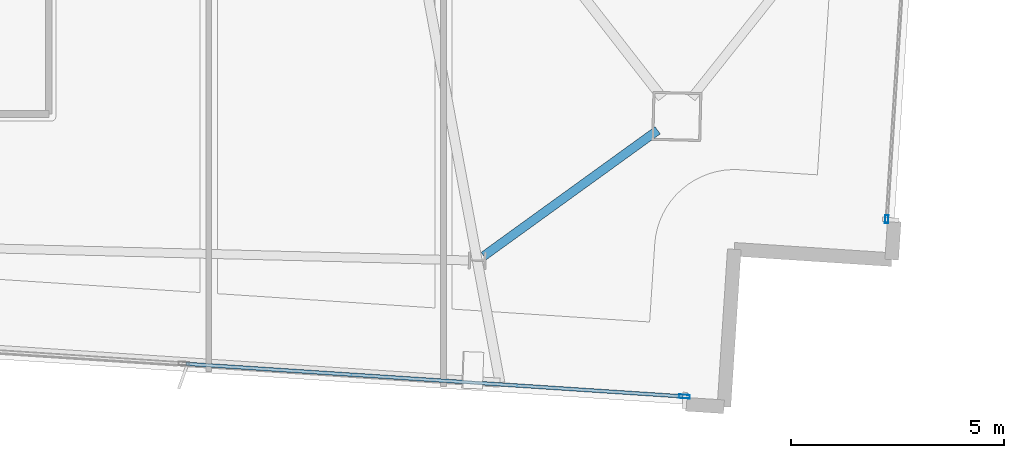
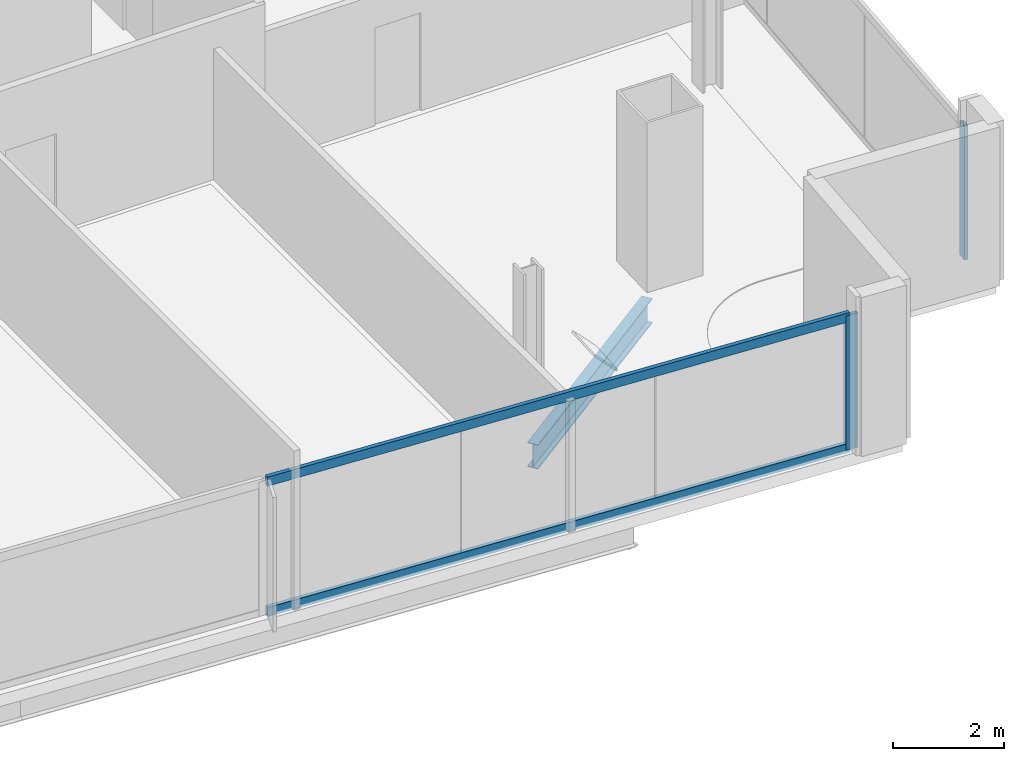
# One storey, part 8 of 24: 4 members, 1 beam, 2 elements without a shape of their own.
"""IFC4 building model written with IfcOpenShell, lengths in metres."""

import ifcopenshell
import ifcopenshell.guid

model = None  # the IFC model being written
_history = None  # IfcOwnerHistory: only IFC2X3 demands one
_inside = {}  # id of a spatial element -> (the spatial element, [elements in it])
_under = {}  # id of a project, library or spatial element -> (it, [spatial elements below it])
_declared = {}  # id of a project -> (the project, [libraries it declares])
_typed = {}  # id of a type object -> (the type object, [elements of that type])
_made_of = {}  # id of a material, layer set ... -> (it, [elements and type objects made of it])


def new_model(schema):
    """Start an empty IFC model of exactly this schema.

    Asked for "IFC4X3", IfcOpenShell would pick the latest addendum, in which some entities
    have other attributes; the version numbers below select the first issue.
    IFC2X3 requires an IfcOwnerHistory on every rooted entity: one is made here for all.
    """
    global model, _history
    if schema == "IFC4X3":
        model = ifcopenshell.file(schema_version=(4, 3, 0, 0))
    else:
        model = ifcopenshell.file(schema=schema)
    _inside.clear()
    _under.clear()
    _declared.clear()
    _typed.clear()
    _made_of.clear()
    _history = None
    if model.schema == "IFC2X3":
        org = make("IfcOrganization", Name="unknown")
        user = make(
            "IfcPersonAndOrganization",
            ThePerson=make("IfcPerson", FamilyName="unknown"),
            TheOrganization=org,
        )
        app = make(
            "IfcApplication",
            ApplicationDeveloper=org,
            Version="unknown",
            ApplicationFullName="unknown",
            ApplicationIdentifier="unknown",
        )
        _history = make(
            "IfcOwnerHistory",
            OwningUser=user,
            OwningApplication=app,
            ChangeAction="ADDED",
            CreationDate=0,
        )
    return model


def make(cls, **values):
    """One entity of the class cls with the attributes given. An attribute that is None is left unset."""
    return model.create_entity(
        cls, **{name: value for name, value in values.items() if value is not None}
    )


def rooted(cls, **values):
    """An entity with a GlobalId (a new one), such as an element, a storey or a relation."""
    return make(cls, GlobalId=ifcopenshell.guid.new(), OwnerHistory=_history, **values)


def si_unit(unit_type, name, prefix=None):
    """IfcSIUnit, for example si_unit("LENGTHUNIT", "METRE", prefix="MILLI")."""
    return make("IfcSIUnit", UnitType=unit_type, Prefix=prefix, Name=name)


def assignment(units):
    """IfcUnitAssignment: the units of a project."""
    return None if units is None else make("IfcUnitAssignment", Units=units)


def point(xyz):
    """IfcCartesianPoint."""
    return None if xyz is None else make("IfcCartesianPoint", Coordinates=xyz)


def direction(xyz):
    """IfcDirection."""
    return None if xyz is None else make("IfcDirection", DirectionRatios=xyz)


def frame(location, z_axis=None, x_axis=None):
    """IfcAxis2Placement3D, a coordinate frame: its origin and axes. An axis left out is left unset."""
    return make(
        "IfcAxis2Placement3D",
        Location=point(location),
        Axis=direction(z_axis),
        RefDirection=direction(x_axis),
    )


def frame_2d(location, x_axis=None):
    """IfcAxis2Placement2D, a coordinate frame in the plane: its origin and x axis."""
    return make(
        "IfcAxis2Placement2D", Location=point(location), RefDirection=direction(x_axis)
    )


def origin():
    """The frame at (0, 0, 0) with its axes left unset."""
    return frame((0.0, 0.0, 0.0))


def origin_2d():
    """The frame at (0, 0) in the plane with its x axis left unset."""
    return frame_2d((0.0, 0.0))


def place(relative_to, where):
    """IfcLocalPlacement: puts the frame where relative to a parent placement (None: the world)."""
    return make(
        "IfcLocalPlacement", PlacementRelTo=relative_to, RelativePlacement=where
    )


def context(
    kind, dimensions, precision=None, world=None, true_north=None, identifier=None
):
    """IfcGeometricRepresentationContext, for example the 3D "Model" context."""
    return make(
        "IfcGeometricRepresentationContext",
        ContextIdentifier=identifier,
        ContextType=kind,
        CoordinateSpaceDimension=dimensions,
        Precision=precision,
        WorldCoordinateSystem=world,
        TrueNorth=true_north,
    )


def subcontext(parent, identifier, kind, view, scale=None):
    """IfcGeometricRepresentationSubContext, for example "Body" below "Model"."""
    return make(
        "IfcGeometricRepresentationSubContext",
        ContextIdentifier=identifier,
        ContextType=kind,
        ParentContext=parent,
        TargetScale=scale,
        TargetView=view,
    )


def project(units=None, contexts=None):
    """IfcProject with its units and contexts."""
    return rooted(
        "IfcProject",
        Name="project",
        RepresentationContexts=contexts,
        UnitsInContext=assignment(units),
    )


def spatial(cls, under=None, at=None, **own):
    """A site, building, storey or space (cls), placed at a placement, below another one or the project."""
    s = rooted(cls, ObjectPlacement=at, **own)
    if under is not None:
        _under.setdefault(under.id(), (under, []))[1].append(s)
    return s


def profile(cls, at=None, kind="AREA", **sizes):
    """A parametric profile (cls). Its sizes go by their IFC names, for example OverallWidth=200.0."""
    return make(cls, ProfileType=kind, Position=at, **sizes)


def hollow_rectangle(**sizes):
    """IfcRectangleHollowProfileDef."""
    return profile("IfcRectangleHollowProfileDef", **sizes)


def i_section(**sizes):
    """IfcIShapeProfileDef."""
    return profile("IfcIShapeProfileDef", **sizes)


def extrude(swept, where, along, depth):
    """IfcExtrudedAreaSolid: the profile swept, set in the frame where, extruded along a direction by depth."""
    return make(
        "IfcExtrudedAreaSolid",
        SweptArea=swept,
        Position=where,
        ExtrudedDirection=direction(along),
        Depth=depth,
    )


def shape(context_of_items, identifier, shape_type, items):
    """IfcShapeRepresentation: the items that make up one representation, for example the "Body"."""
    return make(
        "IfcShapeRepresentation",
        ContextOfItems=context_of_items,
        RepresentationIdentifier=identifier,
        RepresentationType=shape_type,
        Items=items,
    )


def material(Name=None, Category=None):
    """IfcMaterial."""
    return make("IfcMaterial", Name=Name, Category=Category)


def material_profile(
    of_material, cross_section, Name=None, Category=None, Priority=None
):
    """IfcMaterialProfile: a cross section and its material."""
    return make(
        "IfcMaterialProfile",
        Name=Name,
        Material=of_material,
        Profile=cross_section,
        Priority=Priority,
        Category=Category,
    )


def profile_set(profiles, Name=None, composite=None):
    """IfcMaterialProfileSet."""
    return make(
        "IfcMaterialProfileSet",
        Name=Name,
        MaterialProfiles=profiles,
        CompositeProfile=composite,
    )


def made_of(thing, what):
    """Note that an element or type object is made of a material, layer set ...; save() writes the relation."""
    if what is not None:
        _made_of.setdefault(what.id(), (what, []))[1].append(thing)
    return thing


def type_object(cls, material=None, **own):
    """A type object (cls), such as IfcWallType, which elements share."""
    return made_of(rooted(cls, **own), material)


def element(
    cls,
    number,
    at=None,
    inside=None,
    cuts=None,
    type_object=None,
    material=None,
    context=None,
    identifier="Body",
    shape_type=None,
    held_by="IfcProductDefinitionShape",
    body=None,
    shapes=None,
    **own,
):
    """One element of the class cls, such as IfcWall. Its Tag is "e" and its number.

    at: its placement. inside: the storey or other place that contains it. cuts: it is an
    opening in that element (IfcRelVoidsElement). A single representation is given by context,
    identifier, shape_type and body (its items); several are given by shapes. held_by: the class
    of the entity that holds the representations. save() writes the other relations.
    """
    e = rooted(cls, Tag="e%d" % number, ObjectPlacement=at, **own)
    if body is not None:
        shapes = [shape(context, identifier, shape_type, body)]
    if shapes is not None:
        e.Representation = make(held_by, Representations=shapes)
    if inside is not None:
        _inside.setdefault(inside.id(), (inside, []))[1].append(e)
    if cuts is not None:
        rooted(
            "IfcRelVoidsElement", RelatingBuildingElement=cuts, RelatedOpeningElement=e
        )
    if type_object is not None:
        _typed.setdefault(type_object.id(), (type_object, []))[1].append(e)
    return made_of(e, material)


def aggregate(whole, parts):
    """IfcRelAggregates: a whole, such as a stair, and the parts it consists of."""
    return rooted("IfcRelAggregates", RelatingObject=whole, RelatedObjects=parts)


def save(model, path):
    """Write the relations noted so far, then the file.

    IfcRelAggregates (storeys below a building ...), IfcRelContainedInSpatialStructure (elements
    in a storey), IfcRelDefinesByType, IfcRelAssociatesMaterial and IfcRelDeclares: one each for
    every whole, place, type object, material and project.
    """
    for whole, parts in _under.values():
        aggregate(whole, parts)
    for where, things in _inside.values():
        rooted(
            "IfcRelContainedInSpatialStructure",
            RelatedElements=things,
            RelatingStructure=where,
        )
    for kind, things in _typed.values():
        rooted("IfcRelDefinesByType", RelatedObjects=things, RelatingType=kind)
    for what, things in _made_of.values():
        rooted("IfcRelAssociatesMaterial", RelatedObjects=things, RelatingMaterial=what)
    for by, libraries in _declared.values():
        rooted("IfcRelDeclares", RelatingContext=by, RelatedDefinitions=libraries)
    model.write(path)


model = new_model("IFC4")

# Units and contexts
model_context = context("Model", 3, precision=1e-05, world=origin(), true_north=direction((0.0, 1.0)))
body_context = subcontext(model_context, "Body", "Model", "MODEL_VIEW")
ifc_project = project(units=[si_unit("LENGTHUNIT", "METRE"), si_unit("AREAUNIT", "SQUARE_METRE"), si_unit("VOLUMEUNIT", "CUBIC_METRE"), si_unit("PLANEANGLEUNIT", "RADIAN"), si_unit("MASSUNIT", "GRAM", prefix="KILO")], contexts=[model_context])

# Site, building, storey
site_placement = place(None, origin())
site = spatial("IfcSite", under=ifc_project, at=site_placement, CompositionType="ELEMENT")
building_placement = place(site_placement, origin())
building = spatial("IfcBuilding", under=site, at=building_placement, Name="Haldenkirk Collegiate Tower", CompositionType="ELEMENT")
storey_placement = place(building_placement, frame((0.0, 0.0, 317.699951171875)))
storey = spatial("IfcBuildingStorey", under=building, at=storey_placement, Name="L80", CompositionType="ELEMENT", Elevation=317.699951171875)

# Beam
ifc_material_1 = material(Name="Steel ASTM A992 Grade 50", Category="steel")
ifc_material_profile_1 = material_profile(ifc_material_1, i_section(OverallWidth=0.2099609375, OverallDepth=0.537109375, WebThickness=0.010986328125, FlangeThickness=0.017333984375, at=origin_2d()), Name="W21X68")
ifc_profile_set_1 = profile_set([ifc_material_profile_1], Name="Steel ASTM A992 Grade 50")
beam_type = type_object("IfcBeamType", Name="BM-SPANDREL-W21X68", PredefinedType="SPANDREL", material=ifc_profile_set_1)
beam_placement = place(storey_placement, frame((47.44921875, 5.767578125, -0.528564453125), z_axis=(0.810388642646, 0.585892693136, 0.0), x_axis=(-0.585892693136, 0.810388642646, 0.0)))
element("IfcBeam", 1, at=beam_placement, inside=storey, type_object=beam_type, Name="L80 perimeter spandrel beam 16", PredefinedType="SPANDREL", context=body_context, shape_type="SweptSolid", body=[
    extrude(i_section(OverallWidth=0.2099609375, OverallDepth=0.537109375, WebThickness=0.010986328125, FlangeThickness=0.017333984375, at=origin_2d()), origin(), (0.0, 0.0, 1.0), 5.03076171875),
])

# Curtain wall, member
ifc_material_2 = material(Name="Anodised architectural bronze aluminium", Category="aluminium")
curtain_wall_type_1 = type_object("IfcCurtainWallType", Name="CW-SYS2-CONCAVE", PredefinedType="USERDEFINED", material=ifc_material_2)
curtain_wall_1_placement = place(storey_placement, origin())
curtain_wall_1 = element("IfcCurtainWall", 2, at=curtain_wall_1_placement, inside=storey, type_object=curtain_wall_type_1, Name="L80 South concave recessed bronze-anodised curtain wall", ObjectType="UNITISED CURTAIN WALL", PredefinedType="USERDEFINED")
ifc_material_profile_2 = material_profile(ifc_material_2, hollow_rectangle(XDim=0.074951171875, YDim=0.18994140625, WallThickness=0.0048828125, at=origin_2d()), Name="CW-MUL-02")
ifc_profile_set_2 = profile_set([ifc_material_profile_2], Name="Anodised architectural bronze aluminium")
member_type_1 = type_object("IfcMemberType", Name="CW-MUL-02", PredefinedType="MULLION", material=ifc_profile_set_2)
member_1_placement = place(storey_placement, frame((56.89794921875, 6.62939453125, 0.0), z_axis=(0.0, 0.0, 1.0), x_axis=(0.99785893177, -0.065402999064, 0.0)))
member_1 = element("IfcMember", 3, at=member_1_placement, type_object=member_type_1, Name="CW-02 mullion 4", PredefinedType="MULLION", context=body_context, shape_type="SweptSolid", body=[
    extrude(hollow_rectangle(XDim=0.074951171875, YDim=0.18994140625, WallThickness=0.0048828125, at=origin_2d()), origin(), (0.0, 0.0, 1.0), 2.947998046875),
])
aggregate(curtain_wall_1, [member_1])

# Curtain wall, members
curtain_wall_type_2 = type_object("IfcCurtainWallType", Name="CW-SYS1B-CONVEX-HI", PredefinedType="USERDEFINED", material=ifc_material_2)
curtain_wall_2_placement = place(storey_placement, origin())
curtain_wall_2 = element("IfcCurtainWall", 4, at=curtain_wall_2_placement, inside=storey, type_object=curtain_wall_type_2, Name="L80 Upper tower high-wind convex bronze unitised curtain wall", ObjectType="UNITISED CURTAIN WALL", PredefinedType="USERDEFINED")
ifc_material_profile_3 = material_profile(ifc_material_2, hollow_rectangle(XDim=0.0849609375, YDim=0.25, WallThickness=0.0048828125, at=origin_2d()), Name="CW-MUL-1B")
ifc_profile_set_3 = profile_set([ifc_material_profile_3], Name="Anodised architectural bronze aluminium")
member_type_2 = type_object("IfcMemberType", Name="CW-MUL-1B", PredefinedType="MULLION", material=ifc_profile_set_3)
member_2_placement = place(storey_placement, frame((52.1533203125, 2.47314453125, 0.0), z_axis=(0.0, 0.0, 1.0), x_axis=(-0.065401149336, -0.997859053006, 0.0)))
member_2 = element("IfcMember", 5, at=member_2_placement, type_object=member_type_2, Name="CW-1B mullion 1", PredefinedType="MULLION", context=body_context, shape_type="SweptSolid", body=[
    extrude(hollow_rectangle(XDim=0.0849609375, YDim=0.25, WallThickness=0.0048828125, at=origin_2d()), origin(), (0.0, 0.0, 1.0), 2.947998046875),
])
ifc_material_profile_4 = material_profile(ifc_material_2, hollow_rectangle(XDim=0.0849609375, YDim=0.199951171875, WallThickness=0.0048828125, at=origin_2d()), Name="CW-TRN-1B")
ifc_profile_set_4 = profile_set([ifc_material_profile_4], Name="Anodised architectural bronze aluminium")
member_type_3 = type_object("IfcMemberType", Name="CW-TRN-1B", PredefinedType="USERDEFINED", material=ifc_profile_set_4)
member_3_placement = place(storey_placement, frame((52.111083984375, 2.47607421875, 0.04248046875), z_axis=(-0.997860305867, 0.065382030982, 0.0), x_axis=(-0.065382030982, -0.997860305867, 0.0)))
member_3 = element("IfcMember", 6, at=member_3_placement, type_object=member_type_3, Name="CW-1B transom 1.1", ObjectType="TRANSOM", PredefinedType="USERDEFINED", context=body_context, shape_type="SweptSolid", body=[
    extrude(hollow_rectangle(XDim=0.0849609375, YDim=0.199951171875, WallThickness=0.0048828125, at=origin_2d()), origin(), (0.0, 0.0, 1.0), 11.672607421875),
])
member_4_placement = place(storey_placement, frame((52.111083984375, 2.47607421875, 2.905517578125), z_axis=(-0.997860305867, 0.065382030982, 0.0), x_axis=(-0.065382030982, -0.997860305867, 0.0)))
member_4 = element("IfcMember", 7, at=member_4_placement, type_object=member_type_3, Name="CW-1B transom 1.2", ObjectType="TRANSOM", PredefinedType="USERDEFINED", context=body_context, shape_type="SweptSolid", body=[
    extrude(hollow_rectangle(XDim=0.0849609375, YDim=0.199951171875, WallThickness=0.0048828125, at=origin_2d()), origin(), (0.0, 0.0, 1.0), 11.672607421875),
])
aggregate(curtain_wall_2, [member_2, member_3, member_4])

save(model, "model.ifc")
